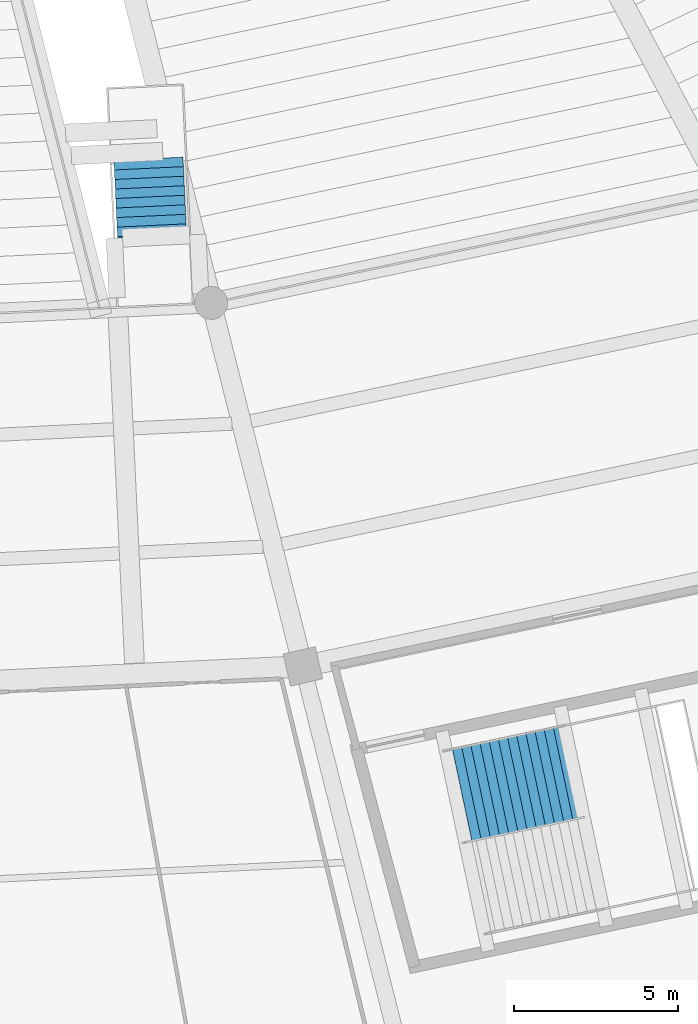
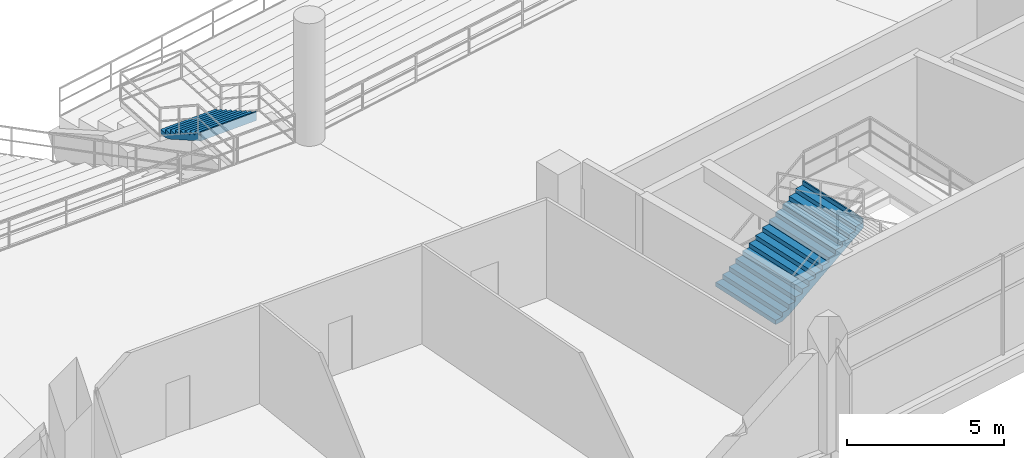
# One storey, part 123 of 156: 2 stair flights, 2 elements without a shape of their own.
"""IFC4 building model written with IfcOpenShell, lengths in metres."""

from ifc_helpers import new_model, si_unit, direction, frame, origin, place, context, subcontext, project, spatial, polygons, material, type_object, element, aggregate, save


model = new_model("IFC4")

# Units and contexts
model_context = context("Model", 3, precision=1e-05, world=origin(), true_north=direction((0.0, 1.0)))
body_context = subcontext(model_context, "Body", "Model", "MODEL_VIEW")
ifc_project = project(units=[si_unit("LENGTHUNIT", "METRE"), si_unit("AREAUNIT", "SQUARE_METRE"), si_unit("VOLUMEUNIT", "CUBIC_METRE"), si_unit("PLANEANGLEUNIT", "RADIAN"), si_unit("MASSUNIT", "GRAM", prefix="KILO")], contexts=[model_context])

# Site, building, storey
site_placement = place(None, origin())
site = spatial("IfcSite", under=ifc_project, at=site_placement, CompositionType="ELEMENT")
building_placement = place(site_placement, origin())
building = spatial("IfcBuilding", under=site, at=building_placement, Name="Kazemori Nagisa Stadium", CompositionType="ELEMENT")
storey_placement = place(building_placement, frame((0.0, 0.0, 5.780029296875)))
storey = spatial("IfcBuildingStorey", under=building, at=storey_placement, Name="L01", CompositionType="ELEMENT", Elevation=5.780029296875)

# Stair, stair flight
ifc_material = material(Name="Concrete C36/45 (Fc36)", Category="concrete")
stair_type_1 = type_object("IfcStairType", Name="Stair_CORE_28", PredefinedType="TWO_STRAIGHT_RUN_STAIR", material=ifc_material)
stair_1_placement = place(storey_placement, origin())
stair_1 = element("IfcStair", 1, at=stair_1_placement, inside=storey, type_object=stair_type_1, Name="Exit stair ST06 L01", PredefinedType="TWO_STRAIGHT_RUN_STAIR")
stair_flight_type_1 = type_object("IfcStairFlightType", Name="Flight_CORE_14", PredefinedType="STRAIGHT", material=ifc_material)
stair_flight_1_placement = place(storey_placement, frame((145.99365234375, 24.9423828125, 0.0), z_axis=(0.0, 0.0, 1.0), x_axis=(0.978345854204, 0.206976785078, 0.0)))
stair_flight_1 = element("IfcStairFlight", 2, at=stair_flight_1_placement, type_object=stair_flight_type_1, Name="Exit stair ST06 L01 flight 1", NumberOfRisers=14, NumberOfTreads=13, PredefinedType="STRAIGHT", RiserHeight=0.17, TreadLength=0.285, context=body_context, shape_type="Tessellation", body=[
    polygons([(0.0, -1.425048828125, 0.0), (0.0, -1.425048828125, 0.169921875), (0.284912109375, -1.425048828125, 0.169921875), (0.284912109375, -1.425048828125, 0.340087890625), (0.570068359375, -1.425048828125, 0.340087890625), (0.570068359375, -1.425048828125, 0.510009765625), (0.85498046875, -1.425048828125, 0.510009765625), (0.85498046875, -1.425048828125, 0.679931640625), (1.139892578125, -1.425048828125, 0.679931640625), (1.139892578125, -1.425048828125, 0.85009765625), (1.425048828125, -1.425048828125, 0.85009765625), (1.425048828125, -1.425048828125, 1.02001953125), (1.7099609375, -1.425048828125, 1.02001953125), (1.7099609375, -1.425048828125, 1.18994140625), (1.9951171875, -1.425048828125, 1.18994140625), (1.9951171875, -1.425048828125, 1.360107421875), (2.280029296875, -1.425048828125, 1.360107421875), (2.280029296875, -1.425048828125, 1.530029296875), (2.56494140625, -1.425048828125, 1.530029296875), (2.56494140625, -1.425048828125, 1.699951171875), (2.85009765625, -1.425048828125, 1.699951171875), (2.85009765625, -1.425048828125, 1.8701171875), (3.135009765625, -1.425048828125, 1.8701171875), (3.135009765625, -1.425048828125, 2.0400390625), (3.419921875, -1.425048828125, 2.0400390625), (3.419921875, -1.425048828125, 2.2099609375), (3.705078125, -1.425048828125, 2.2099609375), (3.705078125, -1.425048828125, 2.3798828125), (3.7548828125, -1.425048828125, 2.3798828125), (3.7548828125, -1.425048828125, 2.007080078125), (3.705078125, -1.425048828125, 1.977294921875), (3.419921875, -1.425048828125, 1.80712890625), (3.135009765625, -1.425048828125, 1.63720703125), (2.85009765625, -1.425048828125, 1.46728515625), (2.56494140625, -1.425048828125, 1.297119140625), (2.280029296875, -1.425048828125, 1.127197265625), (1.9951171875, -1.425048828125, 0.957275390625), (1.7099609375, -1.425048828125, 0.787109375), (1.425048828125, -1.425048828125, 0.6171875), (1.139892578125, -1.425048828125, 0.447265625), (0.85498046875, -1.425048828125, 0.277099609375), (0.570068359375, -1.425048828125, 0.107177734375), (0.284912109375, -1.425048828125, 0.0), (0.0, -0.08544921875, 0.0), (0.0, -0.08544921875, 0.169921875), (0.284912109375, -0.08544921875, 0.169921875), (0.284912109375, -0.08544921875, 0.340087890625), (0.570068359375, -0.08544921875, 0.340087890625), (0.570068359375, -0.08544921875, 0.510009765625), (0.85498046875, -0.08544921875, 0.510009765625), (0.85498046875, -0.08544921875, 0.679931640625), (1.139892578125, -0.08544921875, 0.679931640625), (1.139892578125, -0.08544921875, 0.85009765625), (1.425048828125, -0.08544921875, 0.85009765625), (1.425048828125, -0.08544921875, 1.02001953125), (1.7099609375, -0.08544921875, 1.02001953125), (1.7099609375, -0.08544921875, 1.18994140625), (1.9951171875, -0.08544921875, 1.18994140625), (1.9951171875, -0.08544921875, 1.360107421875), (2.280029296875, -0.08544921875, 1.360107421875), (2.280029296875, -0.08544921875, 1.530029296875), (2.56494140625, -0.08544921875, 1.530029296875), (2.56494140625, -0.08544921875, 1.699951171875), (2.85009765625, -0.08544921875, 1.699951171875), (2.85009765625, -0.08544921875, 1.8701171875), (3.135009765625, -0.08544921875, 1.8701171875), (3.135009765625, -0.08544921875, 2.0400390625), (3.419921875, -0.08544921875, 2.0400390625), (3.419921875, -0.08544921875, 2.2099609375), (3.705078125, -0.08544921875, 2.2099609375), (3.705078125, -0.08544921875, 2.3798828125), (3.7548828125, -0.08544921875, 2.3798828125), (3.7548828125, -0.08544921875, 2.007080078125), (3.705078125, -0.08544921875, 1.977294921875), (3.419921875, -0.08544921875, 1.80712890625), (3.135009765625, -0.08544921875, 1.63720703125), (2.85009765625, -0.08544921875, 1.46728515625), (2.56494140625, -0.08544921875, 1.297119140625), (2.280029296875, -0.08544921875, 1.127197265625), (1.9951171875, -0.08544921875, 0.957275390625), (1.7099609375, -0.08544921875, 0.787109375), (1.425048828125, -0.08544921875, 0.6171875), (1.139892578125, -0.08544921875, 0.447265625), (0.85498046875, -0.08544921875, 0.277099609375), (0.570068359375, -0.08544921875, 0.107177734375), (0.284912109375, -0.08544921875, 0.0), (0.0, 0.0, 0.0), (0.0, 0.0, 0.169921875), (0.284912109375, 0.0, 0.169921875), (0.284912109375, 0.0, 0.340087890625), (0.570068359375, 0.0, 0.340087890625), (0.570068359375, 0.0, 0.510009765625), (0.85498046875, 0.0, 0.510009765625), (0.85498046875, 0.0, 0.679931640625), (1.139892578125, 0.0, 0.679931640625), (1.139892578125, 0.0, 0.85009765625), (1.425048828125, 0.0, 0.85009765625), (1.425048828125, 0.0, 1.02001953125), (1.7099609375, 0.0, 1.02001953125), (1.7099609375, 0.0, 1.18994140625), (1.9951171875, 0.0, 1.18994140625), (1.9951171875, 0.0, 1.360107421875), (2.280029296875, 0.0, 1.360107421875), (2.280029296875, 0.0, 1.530029296875), (2.56494140625, 0.0, 1.530029296875), (2.56494140625, 0.0, 1.699951171875), (2.85009765625, 0.0, 1.699951171875), (2.85009765625, 0.0, 1.8701171875), (3.135009765625, 0.0, 1.8701171875), (3.135009765625, 0.0, 2.0400390625), (3.419921875, 0.0, 2.0400390625), (3.419921875, 0.0, 2.2099609375), (3.705078125, 0.0, 2.2099609375), (3.705078125, 0.0, 2.3798828125), (3.7548828125, 0.0, 2.3798828125), (3.7548828125, 0.0, 2.007080078125), (3.705078125, 0.0, 1.977294921875), (3.419921875, 0.0, 1.80712890625), (3.135009765625, 0.0, 1.63720703125), (2.85009765625, 0.0, 1.46728515625), (2.56494140625, 0.0, 1.297119140625), (2.280029296875, 0.0, 1.127197265625), (1.9951171875, 0.0, 0.957275390625), (1.7099609375, 0.0, 0.787109375), (1.425048828125, 0.0, 0.6171875), (1.139892578125, 0.0, 0.447265625), (0.85498046875, 0.0, 0.277099609375), (0.570068359375, 0.0, 0.107177734375), (0.284912109375, 0.0, 0.0), (0.0, 0.08544921875, 0.0), (0.0, 0.08544921875, 0.169921875), (0.284912109375, 0.08544921875, 0.169921875), (0.284912109375, 0.08544921875, 0.340087890625), (0.570068359375, 0.08544921875, 0.340087890625), (0.570068359375, 0.08544921875, 0.510009765625), (0.85498046875, 0.08544921875, 0.510009765625), (0.85498046875, 0.08544921875, 0.679931640625), (1.139892578125, 0.08544921875, 0.679931640625), (1.139892578125, 0.08544921875, 0.85009765625), (1.425048828125, 0.08544921875, 0.85009765625), (1.425048828125, 0.08544921875, 1.02001953125), (1.7099609375, 0.08544921875, 1.02001953125), (1.7099609375, 0.08544921875, 1.18994140625), (1.9951171875, 0.08544921875, 1.18994140625), (1.9951171875, 0.08544921875, 1.360107421875), (2.280029296875, 0.08544921875, 1.360107421875), (2.280029296875, 0.08544921875, 1.530029296875), (2.56494140625, 0.08544921875, 1.530029296875), (2.56494140625, 0.08544921875, 1.699951171875), (2.85009765625, 0.08544921875, 1.699951171875), (2.85009765625, 0.08544921875, 1.8701171875), (3.135009765625, 0.08544921875, 1.8701171875), (3.135009765625, 0.08544921875, 2.0400390625), (3.419921875, 0.08544921875, 2.0400390625), (3.419921875, 0.08544921875, 2.2099609375), (3.705078125, 0.08544921875, 2.2099609375), (3.705078125, 0.08544921875, 2.3798828125), (3.7548828125, 0.08544921875, 2.3798828125), (3.7548828125, 0.08544921875, 2.007080078125), (3.705078125, 0.08544921875, 1.977294921875), (3.419921875, 0.08544921875, 1.80712890625), (3.135009765625, 0.08544921875, 1.63720703125), (2.85009765625, 0.08544921875, 1.46728515625), (2.56494140625, 0.08544921875, 1.297119140625), (2.280029296875, 0.08544921875, 1.127197265625), (1.9951171875, 0.08544921875, 0.957275390625), (1.7099609375, 0.08544921875, 0.787109375), (1.425048828125, 0.08544921875, 0.6171875), (1.139892578125, 0.08544921875, 0.447265625), (0.85498046875, 0.08544921875, 0.277099609375), (0.570068359375, 0.08544921875, 0.107177734375), (0.284912109375, 0.08544921875, 0.0), (0.0, 1.425048828125, 0.0), (0.0, 1.425048828125, 0.169921875), (0.284912109375, 1.425048828125, 0.169921875), (0.284912109375, 1.425048828125, 0.340087890625), (0.570068359375, 1.425048828125, 0.340087890625), (0.570068359375, 1.425048828125, 0.510009765625), (0.85498046875, 1.425048828125, 0.510009765625), (0.85498046875, 1.425048828125, 0.679931640625), (1.139892578125, 1.425048828125, 0.679931640625), (1.139892578125, 1.425048828125, 0.85009765625), (1.425048828125, 1.425048828125, 0.85009765625), (1.425048828125, 1.425048828125, 1.02001953125), (1.7099609375, 1.425048828125, 1.02001953125), (1.7099609375, 1.425048828125, 1.18994140625), (1.9951171875, 1.425048828125, 1.18994140625), (1.9951171875, 1.425048828125, 1.360107421875), (2.280029296875, 1.425048828125, 1.360107421875), (2.280029296875, 1.425048828125, 1.530029296875), (2.56494140625, 1.425048828125, 1.530029296875), (2.56494140625, 1.425048828125, 1.699951171875), (2.85009765625, 1.425048828125, 1.699951171875), (2.85009765625, 1.425048828125, 1.8701171875), (3.135009765625, 1.425048828125, 1.8701171875), (3.135009765625, 1.425048828125, 2.0400390625), (3.419921875, 1.425048828125, 2.0400390625), (3.419921875, 1.425048828125, 2.2099609375), (3.705078125, 1.425048828125, 2.2099609375), (3.705078125, 1.425048828125, 2.3798828125), (3.7548828125, 1.425048828125, 2.3798828125), (3.7548828125, 1.425048828125, 2.007080078125), (3.705078125, 1.425048828125, 1.977294921875), (3.419921875, 1.425048828125, 1.80712890625), (3.135009765625, 1.425048828125, 1.63720703125), (2.85009765625, 1.425048828125, 1.46728515625), (2.56494140625, 1.425048828125, 1.297119140625), (2.280029296875, 1.425048828125, 1.127197265625), (1.9951171875, 1.425048828125, 0.957275390625), (1.7099609375, 1.425048828125, 0.787109375), (1.425048828125, 1.425048828125, 0.6171875), (1.139892578125, 1.425048828125, 0.447265625), (0.85498046875, 1.425048828125, 0.277099609375), (0.570068359375, 1.425048828125, 0.107177734375), (0.284912109375, 1.425048828125, 0.0)], [[[1, 2, 45]], [[1, 45, 44]], [[2, 3, 46]], [[2, 46, 45]], [[3, 4, 47]], [[3, 47, 46]], [[4, 5, 48]], [[4, 48, 47]], [[5, 6, 49]], [[5, 49, 48]], [[6, 7, 50]], [[6, 50, 49]], [[7, 8, 51]], [[7, 51, 50]], [[8, 9, 52]], [[8, 52, 51]], [[9, 10, 53]], [[9, 53, 52]], [[10, 11, 54]], [[10, 54, 53]], [[11, 12, 55]], [[11, 55, 54]], [[12, 13, 56]], [[12, 56, 55]], [[13, 14, 57]], [[13, 57, 56]], [[14, 15, 58]], [[14, 58, 57]], [[15, 16, 59]], [[15, 59, 58]], [[16, 17, 60]], [[16, 60, 59]], [[17, 18, 61]], [[17, 61, 60]], [[18, 19, 62]], [[18, 62, 61]], [[19, 20, 63]], [[19, 63, 62]], [[20, 21, 64]], [[20, 64, 63]], [[21, 22, 65]], [[21, 65, 64]], [[22, 23, 66]], [[22, 66, 65]], [[23, 24, 67]], [[23, 67, 66]], [[24, 25, 68]], [[24, 68, 67]], [[25, 26, 69]], [[25, 69, 68]], [[26, 27, 70]], [[26, 70, 69]], [[27, 28, 71]], [[27, 71, 70]], [[28, 29, 72]], [[28, 72, 71]], [[29, 30, 73]], [[29, 73, 72]], [[30, 31, 74]], [[30, 74, 73]], [[31, 32, 75]], [[31, 75, 74]], [[32, 33, 76]], [[32, 76, 75]], [[33, 34, 77]], [[33, 77, 76]], [[34, 35, 78]], [[34, 78, 77]], [[35, 36, 79]], [[35, 79, 78]], [[36, 37, 80]], [[36, 80, 79]], [[37, 38, 81]], [[37, 81, 80]], [[38, 39, 82]], [[38, 82, 81]], [[39, 40, 83]], [[39, 83, 82]], [[40, 41, 84]], [[40, 84, 83]], [[41, 42, 85]], [[41, 85, 84]], [[42, 43, 86]], [[42, 86, 85]], [[43, 1, 44]], [[43, 44, 86]], [[44, 45, 88]], [[44, 88, 87]], [[45, 46, 89]], [[45, 89, 88]], [[46, 47, 90]], [[46, 90, 89]], [[47, 48, 91]], [[47, 91, 90]], [[48, 49, 92]], [[48, 92, 91]], [[49, 50, 93]], [[49, 93, 92]], [[50, 51, 94]], [[50, 94, 93]], [[51, 52, 95]], [[51, 95, 94]], [[52, 53, 96]], [[52, 96, 95]], [[53, 54, 97]], [[53, 97, 96]], [[54, 55, 98]], [[54, 98, 97]], [[55, 56, 99]], [[55, 99, 98]], [[56, 57, 100]], [[56, 100, 99]], [[57, 58, 101]], [[57, 101, 100]], [[58, 59, 102]], [[58, 102, 101]], [[59, 60, 103]], [[59, 103, 102]], [[60, 61, 104]], [[60, 104, 103]], [[61, 62, 105]], [[61, 105, 104]], [[62, 63, 106]], [[62, 106, 105]], [[63, 64, 107]], [[63, 107, 106]], [[64, 65, 108]], [[64, 108, 107]], [[65, 66, 109]], [[65, 109, 108]], [[66, 67, 110]], [[66, 110, 109]], [[67, 68, 111]], [[67, 111, 110]], [[68, 69, 112]], [[68, 112, 111]], [[69, 70, 113]], [[69, 113, 112]], [[70, 71, 114]], [[70, 114, 113]], [[71, 72, 115]], [[71, 115, 114]], [[72, 73, 116]], [[72, 116, 115]], [[73, 74, 117]], [[73, 117, 116]], [[74, 75, 118]], [[74, 118, 117]], [[75, 76, 119]], [[75, 119, 118]], [[76, 77, 120]], [[76, 120, 119]], [[77, 78, 121]], [[77, 121, 120]], [[78, 79, 122]], [[78, 122, 121]], [[79, 80, 123]], [[79, 123, 122]], [[80, 81, 124]], [[80, 124, 123]], [[81, 82, 125]], [[81, 125, 124]], [[82, 83, 126]], [[82, 126, 125]], [[83, 84, 127]], [[83, 127, 126]], [[84, 85, 128]], [[84, 128, 127]], [[85, 86, 129]], [[85, 129, 128]], [[86, 44, 87]], [[86, 87, 129]], [[87, 88, 131]], [[87, 131, 130]], [[88, 89, 132]], [[88, 132, 131]], [[89, 90, 133]], [[89, 133, 132]], [[90, 91, 134]], [[90, 134, 133]], [[91, 92, 135]], [[91, 135, 134]], [[92, 93, 136]], [[92, 136, 135]], [[93, 94, 137]], [[93, 137, 136]], [[94, 95, 138]], [[94, 138, 137]], [[95, 96, 139]], [[95, 139, 138]], [[96, 97, 140]], [[96, 140, 139]], [[97, 98, 141]], [[97, 141, 140]], [[98, 99, 142]], [[98, 142, 141]], [[99, 100, 143]], [[99, 143, 142]], [[100, 101, 144]], [[100, 144, 143]], [[101, 102, 145]], [[101, 145, 144]], [[102, 103, 146]], [[102, 146, 145]], [[103, 104, 147]], [[103, 147, 146]], [[104, 105, 148]], [[104, 148, 147]], [[105, 106, 149]], [[105, 149, 148]], [[106, 107, 150]], [[106, 150, 149]], [[107, 108, 151]], [[107, 151, 150]], [[108, 109, 152]], [[108, 152, 151]], [[109, 110, 153]], [[109, 153, 152]], [[110, 111, 154]], [[110, 154, 153]], [[111, 112, 155]], [[111, 155, 154]], [[112, 113, 156]], [[112, 156, 155]], [[113, 114, 157]], [[113, 157, 156]], [[114, 115, 158]], [[114, 158, 157]], [[115, 116, 159]], [[115, 159, 158]], [[116, 117, 160]], [[116, 160, 159]], [[117, 118, 161]], [[117, 161, 160]], [[118, 119, 162]], [[118, 162, 161]], [[119, 120, 163]], [[119, 163, 162]], [[120, 121, 164]], [[120, 164, 163]], [[121, 122, 165]], [[121, 165, 164]], [[122, 123, 166]], [[122, 166, 165]], [[123, 124, 167]], [[123, 167, 166]], [[124, 125, 168]], [[124, 168, 167]], [[125, 126, 169]], [[125, 169, 168]], [[126, 127, 170]], [[126, 170, 169]], [[127, 128, 171]], [[127, 171, 170]], [[128, 129, 172]], [[128, 172, 171]], [[129, 87, 130]], [[129, 130, 172]], [[130, 131, 174]], [[130, 174, 173]], [[131, 132, 175]], [[131, 175, 174]], [[132, 133, 176]], [[132, 176, 175]], [[133, 134, 177]], [[133, 177, 176]], [[134, 135, 178]], [[134, 178, 177]], [[135, 136, 179]], [[135, 179, 178]], [[136, 137, 180]], [[136, 180, 179]], [[137, 138, 181]], [[137, 181, 180]], [[138, 139, 182]], [[138, 182, 181]], [[139, 140, 183]], [[139, 183, 182]], [[140, 141, 184]], [[140, 184, 183]], [[141, 142, 185]], [[141, 185, 184]], [[142, 143, 186]], [[142, 186, 185]], [[143, 144, 187]], [[143, 187, 186]], [[144, 145, 188]], [[144, 188, 187]], [[145, 146, 189]], [[145, 189, 188]], [[146, 147, 190]], [[146, 190, 189]], [[147, 148, 191]], [[147, 191, 190]], [[148, 149, 192]], [[148, 192, 191]], [[149, 150, 193]], [[149, 193, 192]], [[150, 151, 194]], [[150, 194, 193]], [[151, 152, 195]], [[151, 195, 194]], [[152, 153, 196]], [[152, 196, 195]], [[153, 154, 197]], [[153, 197, 196]], [[154, 155, 198]], [[154, 198, 197]], [[155, 156, 199]], [[155, 199, 198]], [[156, 157, 200]], [[156, 200, 199]], [[157, 158, 201]], [[157, 201, 200]], [[158, 159, 202]], [[158, 202, 201]], [[159, 160, 203]], [[159, 203, 202]], [[160, 161, 204]], [[160, 204, 203]], [[161, 162, 205]], [[161, 205, 204]], [[162, 163, 206]], [[162, 206, 205]], [[163, 164, 207]], [[163, 207, 206]], [[164, 165, 208]], [[164, 208, 207]], [[165, 166, 209]], [[165, 209, 208]], [[166, 167, 210]], [[166, 210, 209]], [[167, 168, 211]], [[167, 211, 210]], [[168, 169, 212]], [[168, 212, 211]], [[169, 170, 213]], [[169, 213, 212]], [[170, 171, 214]], [[170, 214, 213]], [[171, 172, 215]], [[171, 215, 214]], [[172, 130, 173]], [[172, 173, 215]], [[3, 2, 1]], [[173, 174, 175]], [[43, 3, 1]], [[173, 175, 215]], [[42, 3, 43]], [[215, 175, 214]], [[5, 3, 42]], [[214, 175, 177]], [[5, 4, 3]], [[175, 176, 177]], [[41, 5, 42]], [[214, 177, 213]], [[7, 5, 41]], [[213, 177, 179]], [[7, 6, 5]], [[177, 178, 179]], [[40, 7, 41]], [[213, 179, 212]], [[9, 7, 40]], [[212, 179, 181]], [[9, 8, 7]], [[179, 180, 181]], [[39, 9, 40]], [[212, 181, 211]], [[11, 9, 39]], [[211, 181, 183]], [[11, 10, 9]], [[181, 182, 183]], [[38, 11, 39]], [[211, 183, 210]], [[13, 11, 38]], [[210, 183, 185]], [[13, 12, 11]], [[183, 184, 185]], [[37, 13, 38]], [[210, 185, 209]], [[15, 13, 37]], [[209, 185, 187]], [[15, 14, 13]], [[185, 186, 187]], [[36, 15, 37]], [[209, 187, 208]], [[17, 15, 36]], [[208, 187, 189]], [[17, 16, 15]], [[187, 188, 189]], [[35, 17, 36]], [[208, 189, 207]], [[19, 17, 35]], [[207, 189, 191]], [[19, 18, 17]], [[189, 190, 191]], [[34, 19, 35]], [[207, 191, 206]], [[21, 19, 34]], [[206, 191, 193]], [[21, 20, 19]], [[191, 192, 193]], [[33, 21, 34]], [[206, 193, 205]], [[23, 21, 33]], [[205, 193, 195]], [[23, 22, 21]], [[193, 194, 195]], [[32, 23, 33]], [[205, 195, 204]], [[25, 23, 32]], [[204, 195, 197]], [[25, 24, 23]], [[195, 196, 197]], [[31, 25, 32]], [[204, 197, 203]], [[27, 25, 31]], [[203, 197, 199]], [[27, 26, 25]], [[197, 198, 199]], [[30, 27, 31]], [[203, 199, 202]], [[29, 27, 30]], [[202, 199, 201]], [[29, 28, 27]], [[199, 200, 201]]], closed=True),
])
aggregate(stair_1, [stair_flight_1])

stair_type_2 = type_object("IfcStairType", Name="Stair_VOM_VL", PredefinedType="STRAIGHT_RUN_STAIR", material=ifc_material)
stair_2_placement = place(storey_placement, origin())
stair_2 = element("IfcStair", 3, at=stair_2_placement, inside=storey, type_object=stair_type_2, Name="Vomitory stair lower VL09", PredefinedType="STRAIGHT_RUN_STAIR")
stair_flight_type_2 = type_object("IfcStairFlightType", Name="Flight_VOM_VL", PredefinedType="STRAIGHT", material=ifc_material)
stair_flight_2_placement = place(storey_placement, frame((136.73291015625, 44.34423828125, -1.43994140625), z_axis=(0.0, 0.0, 1.0), x_axis=(0.04725015869, -0.998883087505, 0.0)))
stair_flight_2 = element("IfcStairFlight", 4, at=stair_flight_2_placement, type_object=stair_flight_type_2, Name="Vomitory stair lower VL09 flight", NumberOfRisers=9, NumberOfTreads=8, PredefinedType="STRAIGHT", RiserHeight=0.16, TreadLength=0.29, context=body_context, shape_type="Tessellation", body=[
    polygons([(0.0, -1.050048828125, 0.0), (0.0, -1.050048828125, 0.159912109375), (0.2900390625, -1.050048828125, 0.159912109375), (0.2900390625, -1.050048828125, 0.320068359375), (0.580078125, -1.050048828125, 0.320068359375), (0.580078125, -1.050048828125, 0.47998046875), (0.8701171875, -1.050048828125, 0.47998046875), (0.8701171875, -1.050048828125, 0.639892578125), (1.159912109375, -1.050048828125, 0.639892578125), (1.159912109375, -1.050048828125, 0.800048828125), (1.449951171875, -1.050048828125, 0.800048828125), (1.449951171875, -1.050048828125, 0.9599609375), (1.739990234375, -1.050048828125, 0.9599609375), (1.739990234375, -1.050048828125, 1.1201171875), (2.030029296875, -1.050048828125, 1.1201171875), (2.030029296875, -1.050048828125, 1.280029296875), (2.320068359375, -1.050048828125, 1.280029296875), (2.320068359375, -1.050048828125, 1.43994140625), (2.3701171875, -1.050048828125, 1.43994140625), (2.3701171875, -1.050048828125, 1.10205078125), (2.320068359375, -1.050048828125, 1.074462890625), (2.030029296875, -1.050048828125, 0.91455078125), (1.739990234375, -1.050048828125, 0.75439453125), (1.449951171875, -1.050048828125, 0.594482421875), (1.159912109375, -1.050048828125, 0.4345703125), (0.8701171875, -1.050048828125, 0.2744140625), (0.580078125, -1.050048828125, 0.114501953125), (0.2900390625, -1.050048828125, 0.0), (0.0, -0.06298828125, 0.0), (0.0, -0.06298828125, 0.159912109375), (0.2900390625, -0.06298828125, 0.159912109375), (0.2900390625, -0.06298828125, 0.320068359375), (0.580078125, -0.06298828125, 0.320068359375), (0.580078125, -0.06298828125, 0.47998046875), (0.8701171875, -0.06298828125, 0.47998046875), (0.8701171875, -0.06298828125, 0.639892578125), (1.159912109375, -0.06298828125, 0.639892578125), (1.159912109375, -0.06298828125, 0.800048828125), (1.449951171875, -0.06298828125, 0.800048828125), (1.449951171875, -0.06298828125, 0.9599609375), (1.739990234375, -0.06298828125, 0.9599609375), (1.739990234375, -0.06298828125, 1.1201171875), (2.030029296875, -0.06298828125, 1.1201171875), (2.030029296875, -0.06298828125, 1.280029296875), (2.320068359375, -0.06298828125, 1.280029296875), (2.320068359375, -0.06298828125, 1.43994140625), (2.3701171875, -0.06298828125, 1.43994140625), (2.3701171875, -0.06298828125, 1.10205078125), (2.320068359375, -0.06298828125, 1.074462890625), (2.030029296875, -0.06298828125, 0.91455078125), (1.739990234375, -0.06298828125, 0.75439453125), (1.449951171875, -0.06298828125, 0.594482421875), (1.159912109375, -0.06298828125, 0.4345703125), (0.8701171875, -0.06298828125, 0.2744140625), (0.580078125, -0.06298828125, 0.114501953125), (0.2900390625, -0.06298828125, 0.0), (0.0, 0.0, 0.0), (0.0, 0.0, 0.159912109375), (0.2900390625, 0.0, 0.159912109375), (0.2900390625, 0.0, 0.320068359375), (0.580078125, 0.0, 0.320068359375), (0.580078125, 0.0, 0.47998046875), (0.8701171875, 0.0, 0.47998046875), (0.8701171875, 0.0, 0.639892578125), (1.159912109375, 0.0, 0.639892578125), (1.159912109375, 0.0, 0.800048828125), (1.449951171875, 0.0, 0.800048828125), (1.449951171875, 0.0, 0.9599609375), (1.739990234375, 0.0, 0.9599609375), (1.739990234375, 0.0, 1.1201171875), (2.030029296875, 0.0, 1.1201171875), (2.030029296875, 0.0, 1.280029296875), (2.320068359375, 0.0, 1.280029296875), (2.320068359375, 0.0, 1.43994140625), (2.3701171875, 0.0, 1.43994140625), (2.3701171875, 0.0, 1.10205078125), (2.320068359375, 0.0, 1.074462890625), (2.030029296875, 0.0, 0.91455078125), (1.739990234375, 0.0, 0.75439453125), (1.449951171875, 0.0, 0.594482421875), (1.159912109375, 0.0, 0.4345703125), (0.8701171875, 0.0, 0.2744140625), (0.580078125, 0.0, 0.114501953125), (0.2900390625, 0.0, 0.0), (0.0, 0.06298828125, 0.0), (0.0, 0.06298828125, 0.159912109375), (0.2900390625, 0.06298828125, 0.159912109375), (0.2900390625, 0.06298828125, 0.320068359375), (0.580078125, 0.06298828125, 0.320068359375), (0.580078125, 0.06298828125, 0.47998046875), (0.8701171875, 0.06298828125, 0.47998046875), (0.8701171875, 0.06298828125, 0.639892578125), (1.159912109375, 0.06298828125, 0.639892578125), (1.159912109375, 0.06298828125, 0.800048828125), (1.449951171875, 0.06298828125, 0.800048828125), (1.449951171875, 0.06298828125, 0.9599609375), (1.739990234375, 0.06298828125, 0.9599609375), (1.739990234375, 0.06298828125, 1.1201171875), (2.030029296875, 0.06298828125, 1.1201171875), (2.030029296875, 0.06298828125, 1.280029296875), (2.320068359375, 0.06298828125, 1.280029296875), (2.320068359375, 0.06298828125, 1.43994140625), (2.3701171875, 0.06298828125, 1.43994140625), (2.3701171875, 0.06298828125, 1.10205078125), (2.320068359375, 0.06298828125, 1.074462890625), (2.030029296875, 0.06298828125, 0.91455078125), (1.739990234375, 0.06298828125, 0.75439453125), (1.449951171875, 0.06298828125, 0.594482421875), (1.159912109375, 0.06298828125, 0.4345703125), (0.8701171875, 0.06298828125, 0.2744140625), (0.580078125, 0.06298828125, 0.114501953125), (0.2900390625, 0.06298828125, 0.0), (0.0, 1.050048828125, 0.0), (0.0, 1.050048828125, 0.159912109375), (0.2900390625, 1.050048828125, 0.159912109375), (0.2900390625, 1.050048828125, 0.320068359375), (0.580078125, 1.050048828125, 0.320068359375), (0.580078125, 1.050048828125, 0.47998046875), (0.8701171875, 1.050048828125, 0.47998046875), (0.8701171875, 1.050048828125, 0.639892578125), (1.159912109375, 1.050048828125, 0.639892578125), (1.159912109375, 1.050048828125, 0.800048828125), (1.449951171875, 1.050048828125, 0.800048828125), (1.449951171875, 1.050048828125, 0.9599609375), (1.739990234375, 1.050048828125, 0.9599609375), (1.739990234375, 1.050048828125, 1.1201171875), (2.030029296875, 1.050048828125, 1.1201171875), (2.030029296875, 1.050048828125, 1.280029296875), (2.320068359375, 1.050048828125, 1.280029296875), (2.320068359375, 1.050048828125, 1.43994140625), (2.3701171875, 1.050048828125, 1.43994140625), (2.3701171875, 1.050048828125, 1.10205078125), (2.320068359375, 1.050048828125, 1.074462890625), (2.030029296875, 1.050048828125, 0.91455078125), (1.739990234375, 1.050048828125, 0.75439453125), (1.449951171875, 1.050048828125, 0.594482421875), (1.159912109375, 1.050048828125, 0.4345703125), (0.8701171875, 1.050048828125, 0.2744140625), (0.580078125, 1.050048828125, 0.114501953125), (0.2900390625, 1.050048828125, 0.0)], [[[1, 2, 30]], [[1, 30, 29]], [[2, 3, 31]], [[2, 31, 30]], [[3, 4, 32]], [[3, 32, 31]], [[4, 5, 33]], [[4, 33, 32]], [[5, 6, 34]], [[5, 34, 33]], [[6, 7, 35]], [[6, 35, 34]], [[7, 8, 36]], [[7, 36, 35]], [[8, 9, 37]], [[8, 37, 36]], [[9, 10, 38]], [[9, 38, 37]], [[10, 11, 39]], [[10, 39, 38]], [[11, 12, 40]], [[11, 40, 39]], [[12, 13, 41]], [[12, 41, 40]], [[13, 14, 42]], [[13, 42, 41]], [[14, 15, 43]], [[14, 43, 42]], [[15, 16, 44]], [[15, 44, 43]], [[16, 17, 45]], [[16, 45, 44]], [[17, 18, 46]], [[17, 46, 45]], [[18, 19, 47]], [[18, 47, 46]], [[19, 20, 48]], [[19, 48, 47]], [[20, 21, 49]], [[20, 49, 48]], [[21, 22, 50]], [[21, 50, 49]], [[22, 23, 51]], [[22, 51, 50]], [[23, 24, 52]], [[23, 52, 51]], [[24, 25, 53]], [[24, 53, 52]], [[25, 26, 54]], [[25, 54, 53]], [[26, 27, 55]], [[26, 55, 54]], [[27, 28, 56]], [[27, 56, 55]], [[28, 1, 29]], [[28, 29, 56]], [[29, 30, 58]], [[29, 58, 57]], [[30, 31, 59]], [[30, 59, 58]], [[31, 32, 60]], [[31, 60, 59]], [[32, 33, 61]], [[32, 61, 60]], [[33, 34, 62]], [[33, 62, 61]], [[34, 35, 63]], [[34, 63, 62]], [[35, 36, 64]], [[35, 64, 63]], [[36, 37, 65]], [[36, 65, 64]], [[37, 38, 66]], [[37, 66, 65]], [[38, 39, 67]], [[38, 67, 66]], [[39, 40, 68]], [[39, 68, 67]], [[40, 41, 69]], [[40, 69, 68]], [[41, 42, 70]], [[41, 70, 69]], [[42, 43, 71]], [[42, 71, 70]], [[43, 44, 72]], [[43, 72, 71]], [[44, 45, 73]], [[44, 73, 72]], [[45, 46, 74]], [[45, 74, 73]], [[46, 47, 75]], [[46, 75, 74]], [[47, 48, 76]], [[47, 76, 75]], [[48, 49, 77]], [[48, 77, 76]], [[49, 50, 78]], [[49, 78, 77]], [[50, 51, 79]], [[50, 79, 78]], [[51, 52, 80]], [[51, 80, 79]], [[52, 53, 81]], [[52, 81, 80]], [[53, 54, 82]], [[53, 82, 81]], [[54, 55, 83]], [[54, 83, 82]], [[55, 56, 84]], [[55, 84, 83]], [[56, 29, 57]], [[56, 57, 84]], [[57, 58, 86]], [[57, 86, 85]], [[58, 59, 87]], [[58, 87, 86]], [[59, 60, 88]], [[59, 88, 87]], [[60, 61, 89]], [[60, 89, 88]], [[61, 62, 90]], [[61, 90, 89]], [[62, 63, 91]], [[62, 91, 90]], [[63, 64, 92]], [[63, 92, 91]], [[64, 65, 93]], [[64, 93, 92]], [[65, 66, 94]], [[65, 94, 93]], [[66, 67, 95]], [[66, 95, 94]], [[67, 68, 96]], [[67, 96, 95]], [[68, 69, 97]], [[68, 97, 96]], [[69, 70, 98]], [[69, 98, 97]], [[70, 71, 99]], [[70, 99, 98]], [[71, 72, 100]], [[71, 100, 99]], [[72, 73, 101]], [[72, 101, 100]], [[73, 74, 102]], [[73, 102, 101]], [[74, 75, 103]], [[74, 103, 102]], [[75, 76, 104]], [[75, 104, 103]], [[76, 77, 105]], [[76, 105, 104]], [[77, 78, 106]], [[77, 106, 105]], [[78, 79, 107]], [[78, 107, 106]], [[79, 80, 108]], [[79, 108, 107]], [[80, 81, 109]], [[80, 109, 108]], [[81, 82, 110]], [[81, 110, 109]], [[82, 83, 111]], [[82, 111, 110]], [[83, 84, 112]], [[83, 112, 111]], [[84, 57, 85]], [[84, 85, 112]], [[85, 86, 114]], [[85, 114, 113]], [[86, 87, 115]], [[86, 115, 114]], [[87, 88, 116]], [[87, 116, 115]], [[88, 89, 117]], [[88, 117, 116]], [[89, 90, 118]], [[89, 118, 117]], [[90, 91, 119]], [[90, 119, 118]], [[91, 92, 120]], [[91, 120, 119]], [[92, 93, 121]], [[92, 121, 120]], [[93, 94, 122]], [[93, 122, 121]], [[94, 95, 123]], [[94, 123, 122]], [[95, 96, 124]], [[95, 124, 123]], [[96, 97, 125]], [[96, 125, 124]], [[97, 98, 126]], [[97, 126, 125]], [[98, 99, 127]], [[98, 127, 126]], [[99, 100, 128]], [[99, 128, 127]], [[100, 101, 129]], [[100, 129, 128]], [[101, 102, 130]], [[101, 130, 129]], [[102, 103, 131]], [[102, 131, 130]], [[103, 104, 132]], [[103, 132, 131]], [[104, 105, 133]], [[104, 133, 132]], [[105, 106, 134]], [[105, 134, 133]], [[106, 107, 135]], [[106, 135, 134]], [[107, 108, 136]], [[107, 136, 135]], [[108, 109, 137]], [[108, 137, 136]], [[109, 110, 138]], [[109, 138, 137]], [[110, 111, 139]], [[110, 139, 138]], [[111, 112, 140]], [[111, 140, 139]], [[112, 85, 113]], [[112, 113, 140]], [[3, 2, 1]], [[113, 114, 115]], [[28, 3, 1]], [[113, 115, 140]], [[27, 3, 28]], [[140, 115, 139]], [[5, 3, 27]], [[139, 115, 117]], [[5, 4, 3]], [[115, 116, 117]], [[26, 5, 27]], [[139, 117, 138]], [[7, 5, 26]], [[138, 117, 119]], [[7, 6, 5]], [[117, 118, 119]], [[25, 7, 26]], [[138, 119, 137]], [[9, 7, 25]], [[137, 119, 121]], [[9, 8, 7]], [[119, 120, 121]], [[24, 9, 25]], [[137, 121, 136]], [[11, 9, 24]], [[136, 121, 123]], [[11, 10, 9]], [[121, 122, 123]], [[23, 11, 24]], [[136, 123, 135]], [[13, 11, 23]], [[135, 123, 125]], [[13, 12, 11]], [[123, 124, 125]], [[22, 13, 23]], [[135, 125, 134]], [[15, 13, 22]], [[134, 125, 127]], [[15, 14, 13]], [[125, 126, 127]], [[21, 15, 22]], [[134, 127, 133]], [[17, 15, 21]], [[133, 127, 129]], [[17, 16, 15]], [[127, 128, 129]], [[20, 17, 21]], [[133, 129, 132]], [[19, 17, 20]], [[132, 129, 131]], [[19, 18, 17]], [[129, 130, 131]]], closed=True),
])
aggregate(stair_2, [stair_flight_2])

save(model, "model.ifc")
